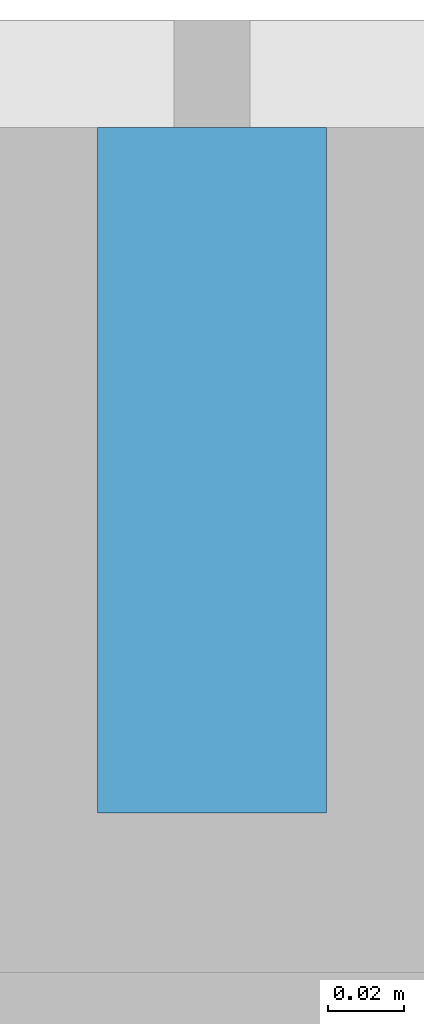
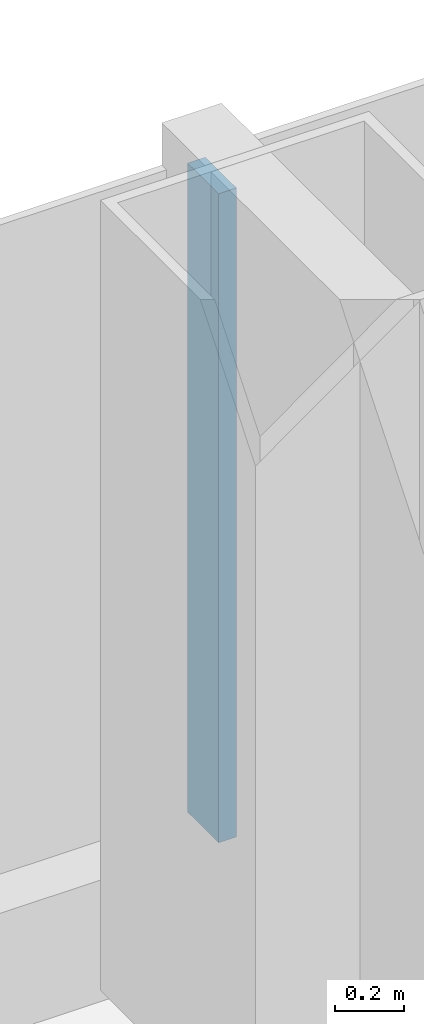
# One storey, part 7 of 28: 1 member, 1 element without a shape of its own.
"""IFC4 building model written with IfcOpenShell, lengths in metres."""

from ifc_helpers import new_model, si_unit, direction, frame, origin, origin_2d, place, context, subcontext, project, spatial, rectangle, extrude, material, layer, layer_set, material_profile, profile_set, type_object, element, aggregate, save


model = new_model("IFC4")

# Units and contexts
model_context = context("Model", 3, precision=1e-05, world=origin(), true_north=direction((0.0, 1.0)))
body_context = subcontext(model_context, "Body", "Model", "MODEL_VIEW")
ifc_project = project(units=[si_unit("LENGTHUNIT", "METRE"), si_unit("AREAUNIT", "SQUARE_METRE"), si_unit("VOLUMEUNIT", "CUBIC_METRE"), si_unit("PLANEANGLEUNIT", "RADIAN"), si_unit("MASSUNIT", "GRAM", prefix="KILO")], contexts=[model_context])

# Site, building, storey
site_placement = place(None, origin())
site = spatial("IfcSite", under=ifc_project, at=site_placement, CompositionType="ELEMENT")
building_placement = place(site_placement, origin())
building = spatial("IfcBuilding", under=site, at=building_placement, Name="Hakoniwa Tower and Hamabe Station Hall", CompositionType="ELEMENT")
storey_placement = place(building_placement, frame((0.0, 0.0, 32.60009765625)))
storey = spatial("IfcBuildingStorey", under=building, at=storey_placement, Name="L08", CompositionType="ELEMENT", Elevation=32.60009765625)

# Curtain wall, member
ifc_material_1 = material(Name="Dark low-e laminated glass", Category="glass")
ifc_layer = layer(ifc_material_1, 0.199951171875)
ifc_layer_set = layer_set([ifc_layer], Name="CW-1 UNITISED GUEST")
curtain_wall_type = type_object("IfcCurtainWallType", Name="CW-1 UNITISED GUEST", PredefinedType="NOTDEFINED", material=ifc_layer_set)
curtain_wall_placement = place(storey_placement, origin())
curtain_wall = element("IfcCurtainWall", 1, at=curtain_wall_placement, inside=storey, type_object=curtain_wall_type, Name="CW-1 curtain wall", PredefinedType="NOTDEFINED")
ifc_material_2 = material(Name="Aluminium 6063-T5 black anodised", Category="aluminium")
ifc_material_profile = material_profile(ifc_material_2, rectangle(XDim=0.06005859375, YDim=0.179931640625, at=origin_2d()), Name="CW-1 MULLION 60X180")
ifc_profile_set = profile_set([ifc_material_profile], Name="Aluminium 6063-T5 black anodised")
member_type = type_object("IfcMemberType", Name="CW-1 MULLION 60X180", PredefinedType="MULLION", material=ifc_profile_set)
member_placement = place(storey_placement, frame((0.0, 20.181884765625, 0.349853515625), z_axis=(0.0, 0.0, 1.0), x_axis=(-1.0, 0.0, 0.0)))
member = element("IfcMember", 2, at=member_placement, type_object=member_type, Name="CW-1 mullion", PredefinedType="MULLION", context=body_context, shape_type="SweptSolid", body=[
    extrude(rectangle(XDim=0.06005859375, YDim=0.179931640625, at=origin_2d()), origin(), (0.0, 0.0, 1.0), 2.300048828125),
])
aggregate(curtain_wall, [member])

save(model, "model.ifc")
